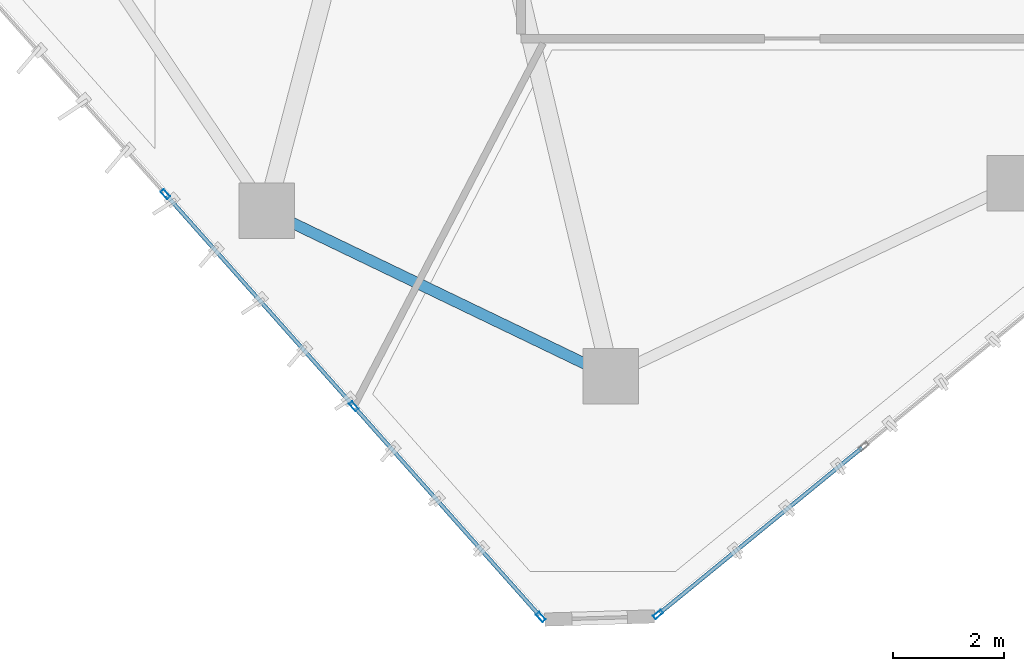
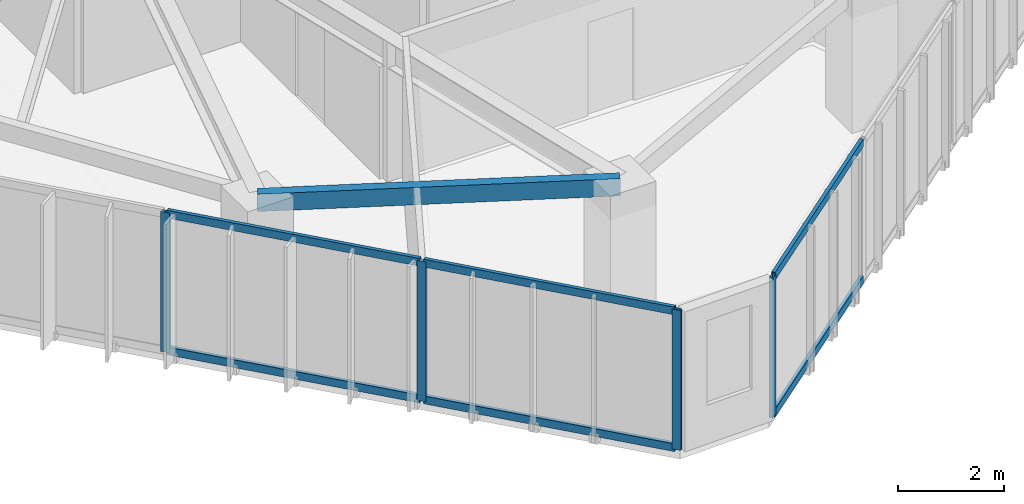
# One storey, part 2 of 22: 10 members, 1 beam, 2 elements without a shape of their own.
"""IFC4 building model written with IfcOpenShell, lengths in metres."""

from ifc_helpers import new_model, si_unit, direction, frame, origin, origin_2d, place, context, subcontext, project, spatial, hollow_rectangle, extrude, source, transform, mapped, material, layer, layer_set, material_profile, profile_set, type_object, type_shapes, element, aggregate, save


model = new_model("IFC4")

# Units and contexts
model_context = context("Model", 3, precision=1e-05, world=origin(), true_north=direction((0.0, 1.0)))
body_context = subcontext(model_context, "Body", "Model", "MODEL_VIEW")
ifc_project = project(units=[si_unit("LENGTHUNIT", "METRE"), si_unit("AREAUNIT", "SQUARE_METRE"), si_unit("VOLUMEUNIT", "CUBIC_METRE"), si_unit("PLANEANGLEUNIT", "RADIAN"), si_unit("MASSUNIT", "GRAM", prefix="KILO")], contexts=[model_context])

# Site, building, storey
site_placement = place(None, origin())
site = spatial("IfcSite", under=ifc_project, at=site_placement, CompositionType="ELEMENT")
building_placement = place(site_placement, origin())
building = spatial("IfcBuilding", under=site, at=building_placement, Name="Talar Marvaseh", CompositionType="ELEMENT")
storey_placement = place(building_placement, frame((0.0, 0.0, 208.199951171875)))
storey = spatial("IfcBuildingStorey", under=building, at=storey_placement, Name="L54", CompositionType="ELEMENT", Elevation=208.199951171875)

# Beam
ifc_material_1 = material(Name="Steel S355", Category="steel")
ifc_material_profile_1 = material_profile(ifc_material_1, hollow_rectangle(XDim=0.199951171875, YDim=0.39990234375, WallThickness=0.013916015625, at=origin_2d()), Name="RHS400x200x14")
ifc_profile_set_1 = profile_set([ifc_material_profile_1], Name="Steel S355")
beam_type = type_object("IfcBeamType", Name="Zone 3 Perimeter Spandrel Beam RHS400x200x14", PredefinedType="SPANDREL", material=ifc_profile_set_1)
beam_placement = place(storey_placement, frame((22.014892578125, 11.51904296875, 3.030029296875), z_axis=(-0.901071562993, 0.433670425975, 0.0), x_axis=(-0.433670425975, -0.901071562993, 0.0)))
element("IfcBeam", 1, at=beam_placement, inside=storey, type_object=beam_type, Name="L54 Zone 3 Perimeter Spandrel Beam RHS400x200x14", PredefinedType="SPANDREL", context=body_context, shape_type="SweptSolid", body=[
    extrude(hollow_rectangle(XDim=0.199951171875, YDim=0.39990234375, WallThickness=0.013916015625, at=origin_2d()), origin(), (0.0, 0.0, 1.0), 6.8759765625),
])

# Curtain wall, members
ifc_material_2 = material(Name="Architectural Aluminium", Category="aluminium")
ifc_layer = layer(ifc_material_2, 0.18994140625)
ifc_layer_set = layer_set([ifc_layer], Name="Architectural Aluminium")
curtain_wall_type = type_object("IfcCurtainWallType", Name="Unitised Solar Atelier Curtain Wall Z3", PredefinedType="NOTDEFINED", material=ifc_layer_set)
curtain_wall_1_placement = place(storey_placement, origin())
curtain_wall_1 = element("IfcCurtainWall", 2, at=curtain_wall_1_placement, inside=storey, type_object=curtain_wall_type, Name="L54 Unitised Solar Atelier Curtain Wall Z3", PredefinedType="NOTDEFINED")
ifc_material_profile_2 = material_profile(ifc_material_2, hollow_rectangle(XDim=0.074951171875, YDim=0.179931640625, WallThickness=0.0048828125, at=origin_2d()), Name="RHS180x75x5")
ifc_profile_set_2 = profile_set([ifc_material_profile_2], Name="Architectural Aluminium")
member_type_1 = type_object("IfcMemberType", Name="Unitised Curtain Wall Standard Mullion RHS180x75x5", PredefinedType="MULLION", material=ifc_profile_set_2)
shared_shape_1 = source(origin(), body_context, "Body", "SweptSolid", [
    extrude(hollow_rectangle(XDim=0.074951171875, YDim=0.179931640625, WallThickness=0.0048828125, at=origin_2d()), origin(), (0.0, 0.0, 1.0), 3.22998046875),
])
type_shapes(member_type_1, [shared_shape_1])
member_1_placement = place(storey_placement, frame((20.75634765625, 7.179443359375, 0.0), z_axis=(0.0, 0.0, 1.0), x_axis=(-0.747837549972, -0.663881765717, 0.0)))
member_1 = element("IfcMember", 3, at=member_1_placement, type_object=member_type_1, Name="CW-Z3 mullion 1", PredefinedType="MULLION", context=body_context, shape_type="MappedRepresentation", body=[
    mapped(shared_shape_1, transform((0.0, 0.0, 0.0), x_axis=(1.0, 0.0, 0.0), y_axis=(0.0, 1.0, 0.0), z_axis=(0.0, 0.0, 1.0), scale=1.0)),
])
member_2_placement = place(storey_placement, frame((17.386962890625, 10.97509765625, 0.0), z_axis=(0.0, 0.0, 1.0), x_axis=(-0.747837549972, -0.663881765717, 0.0)))
member_2 = element("IfcMember", 4, at=member_2_placement, type_object=member_type_1, Name="CW-Z3 mullion 2", PredefinedType="MULLION", context=body_context, shape_type="MappedRepresentation", body=[
    mapped(shared_shape_1, transform((0.0, 0.0, 0.0), x_axis=(1.0, 0.0, 0.0), y_axis=(0.0, 1.0, 0.0), z_axis=(0.0, 0.0, 1.0), scale=1.0)),
])
member_3_placement = place(storey_placement, frame((13.992431640625, 14.798583984375, 0.0), z_axis=(0.0, 0.0, 1.0), x_axis=(-0.747837549972, -0.663881765717, 0.0)))
member_3 = element("IfcMember", 5, at=member_3_placement, type_object=member_type_1, Name="CW-Z3 mullion 3", PredefinedType="MULLION", context=body_context, shape_type="MappedRepresentation", body=[
    mapped(shared_shape_1, transform((0.0, 0.0, 0.0), x_axis=(1.0, 0.0, 0.0), y_axis=(0.0, 1.0, 0.0), z_axis=(0.0, 0.0, 1.0), scale=1.0)),
])

# Curtain wall, member
curtain_wall_2_placement = place(storey_placement, origin())
curtain_wall_2 = element("IfcCurtainWall", 6, at=curtain_wall_2_placement, inside=storey, type_object=curtain_wall_type, Name="L54 Unitised Solar Atelier Curtain Wall Z3", PredefinedType="NOTDEFINED")
member_4_placement = place(storey_placement, frame((22.8701171875, 7.22607421875, 0.0), z_axis=(0.0, 0.0, 1.0), x_axis=(0.632822116312, -0.774297209801, 0.0)))
member_4 = element("IfcMember", 7, at=member_4_placement, type_object=member_type_1, Name="CW-Z3 mullion 5", PredefinedType="MULLION", context=body_context, shape_type="MappedRepresentation", body=[
    mapped(shared_shape_1, transform((0.0, 0.0, 0.0), x_axis=(1.0, 0.0, 0.0), y_axis=(0.0, 1.0, 0.0), z_axis=(0.0, 0.0, 1.0), scale=1.0)),
])

# Member
ifc_material_profile_3 = material_profile(ifc_material_2, hollow_rectangle(XDim=0.074951171875, YDim=0.179931640625, WallThickness=0.0048828125, at=origin_2d()), Name="RHS180x75x5")
ifc_profile_set_3 = profile_set([ifc_material_profile_3], Name="Architectural Aluminium")
member_type_2 = type_object("IfcMemberType", Name="Unitised Curtain Wall Transom RHS180x75x5", PredefinedType="USERDEFINED", material=ifc_profile_set_3)
shared_shape_2 = source(origin(), body_context, "Body", "SweptSolid", [
    extrude(hollow_rectangle(XDim=0.074951171875, YDim=0.179931640625, WallThickness=0.0048828125, at=origin_2d()), origin(), (0.0, 0.0, 1.0), 5.00048828125),
])
member_5_placement = place(storey_placement, frame((20.7314453125, 7.207275390625, 0.03759765625), z_axis=(-0.663845482592, 0.747869758208, 0.0), x_axis=(-0.747869758208, -0.663845482592, 0.0)))
member_5 = element("IfcMember", 8, at=member_5_placement, type_object=member_type_2, Name="CW-Z3 transom 1.1", ObjectType="TRANSOM", PredefinedType="USERDEFINED", context=body_context, shape_type="MappedRepresentation", body=[
    mapped(shared_shape_2, transform((0.0, 0.0, 0.0), x_axis=(1.0, 0.0, 0.0), y_axis=(0.0, 1.0, 0.0), z_axis=(0.0, 0.0, 1.0), scale=1.0)),
])

member_6_placement = place(storey_placement, frame((20.7314453125, 7.207275390625, 3.192626953125), z_axis=(-0.663845482592, 0.747869758208, 0.0), x_axis=(-0.747869758208, -0.663845482592, 0.0)))
member_6 = element("IfcMember", 9, at=member_6_placement, type_object=member_type_2, Name="CW-Z3 transom 1.2", ObjectType="TRANSOM", PredefinedType="USERDEFINED", context=body_context, shape_type="MappedRepresentation", body=[
    mapped(shared_shape_2, transform((0.0, 0.0, 0.0), x_axis=(1.0, 0.0, 0.0), y_axis=(0.0, 1.0, 0.0), z_axis=(0.0, 0.0, 1.0), scale=1.0)),
])

shared_shape_3 = source(origin(), body_context, "Body", "SweptSolid", [
    extrude(hollow_rectangle(XDim=0.074951171875, YDim=0.179931640625, WallThickness=0.0048828125, at=origin_2d()), origin(), (0.0, 0.0, 1.0), 4.70947265625),
])
member_7_placement = place(storey_placement, frame((26.545654296875, 10.230224609375, 0.03759765625), z_axis=(-0.774271319156, -0.632853793804, 0.0), x_axis=(0.632853793804, -0.774271319156, 0.0)))
member_7 = element("IfcMember", 10, at=member_7_placement, type_object=member_type_2, Name="CW-Z3 transom 4.1", ObjectType="TRANSOM", PredefinedType="USERDEFINED", context=body_context, shape_type="MappedRepresentation", body=[
    mapped(shared_shape_3, transform((0.0, 0.0, 0.0), x_axis=(1.0, 0.0, 0.0), y_axis=(0.0, 1.0, 0.0), z_axis=(0.0, 0.0, 1.0), scale=1.0)),
])

member_8_placement = place(storey_placement, frame((26.545654296875, 10.230224609375, 3.192626953125), z_axis=(-0.774271319156, -0.632853793804, 0.0), x_axis=(0.632853793804, -0.774271319156, 0.0)))
member_8 = element("IfcMember", 11, at=member_8_placement, type_object=member_type_2, Name="CW-Z3 transom 4.2", ObjectType="TRANSOM", PredefinedType="USERDEFINED", context=body_context, shape_type="MappedRepresentation", body=[
    mapped(shared_shape_3, transform((0.0, 0.0, 0.0), x_axis=(1.0, 0.0, 0.0), y_axis=(0.0, 1.0, 0.0), z_axis=(0.0, 0.0, 1.0), scale=1.0)),
])

aggregate(curtain_wall_2, [member_4, member_7, member_8])

shared_shape_4 = source(origin(), body_context, "Body", "SweptSolid", [
    extrude(hollow_rectangle(XDim=0.074951171875, YDim=0.179931640625, WallThickness=0.0048828125, at=origin_2d()), origin(), (0.0, 0.0, 1.0), 5.038330078125),
])
type_shapes(member_type_2, [shared_shape_2, shared_shape_3, shared_shape_4])
member_9_placement = place(storey_placement, frame((17.362060546875, 11.0029296875, 0.03759765625), z_axis=(-0.663870428225, 0.74784761451, 0.0), x_axis=(-0.74784761451, -0.663870428225, 0.0)))
member_9 = element("IfcMember", 12, at=member_9_placement, type_object=member_type_2, Name="CW-Z3 transom 2.1", ObjectType="TRANSOM", PredefinedType="USERDEFINED", context=body_context, shape_type="MappedRepresentation", body=[
    mapped(shared_shape_4, transform((0.0, 0.0, 0.0), x_axis=(1.0, 0.0, 0.0), y_axis=(0.0, 1.0, 0.0), z_axis=(0.0, 0.0, 1.0), scale=1.0)),
])

member_10_placement = place(storey_placement, frame((17.362060546875, 11.0029296875, 3.192626953125), z_axis=(-0.663870428225, 0.74784761451, 0.0), x_axis=(-0.74784761451, -0.663870428225, 0.0)))
member_10 = element("IfcMember", 13, at=member_10_placement, type_object=member_type_2, Name="CW-Z3 transom 2.2", ObjectType="TRANSOM", PredefinedType="USERDEFINED", context=body_context, shape_type="MappedRepresentation", body=[
    mapped(shared_shape_4, transform((0.0, 0.0, 0.0), x_axis=(1.0, 0.0, 0.0), y_axis=(0.0, 1.0, 0.0), z_axis=(0.0, 0.0, 1.0), scale=1.0)),
])

aggregate(curtain_wall_1, [member_1, member_2, member_3, member_5, member_6, member_9, member_10])

save(model, "model.ifc")
